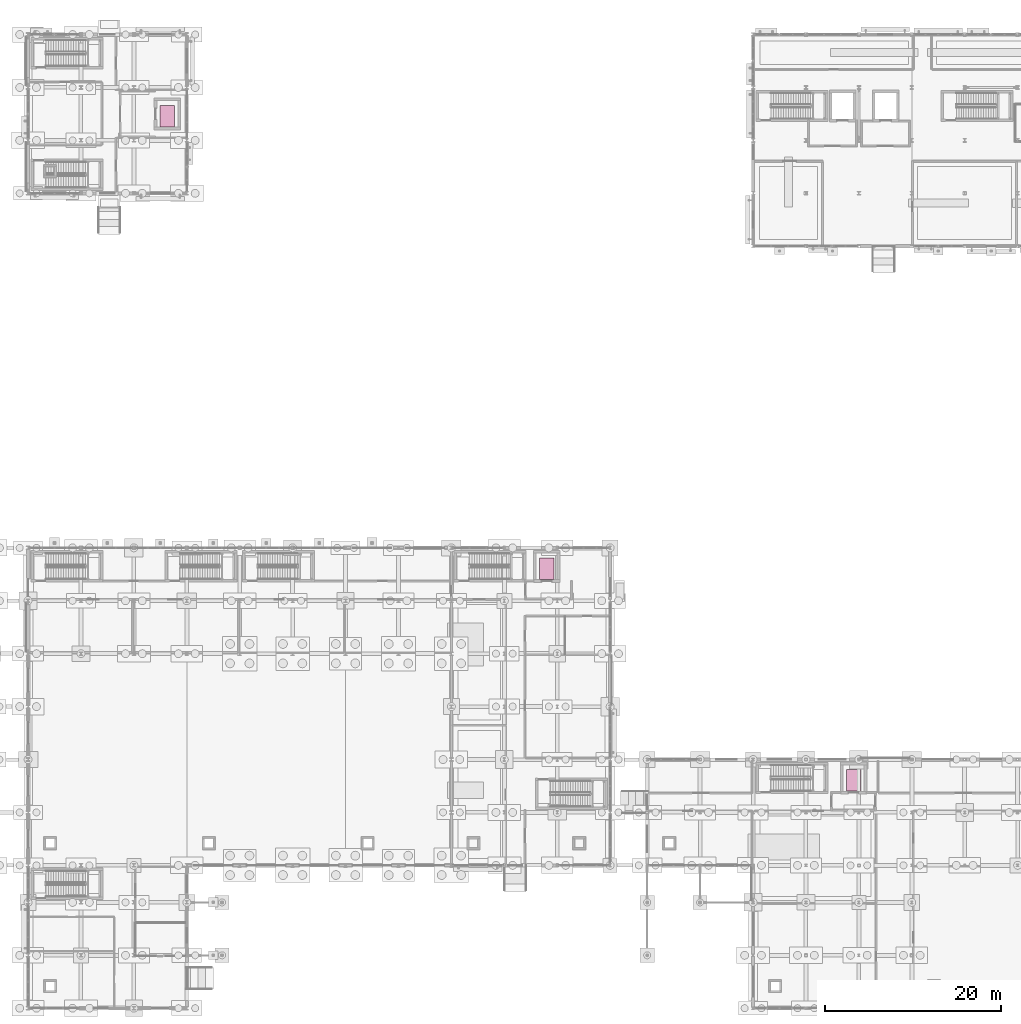
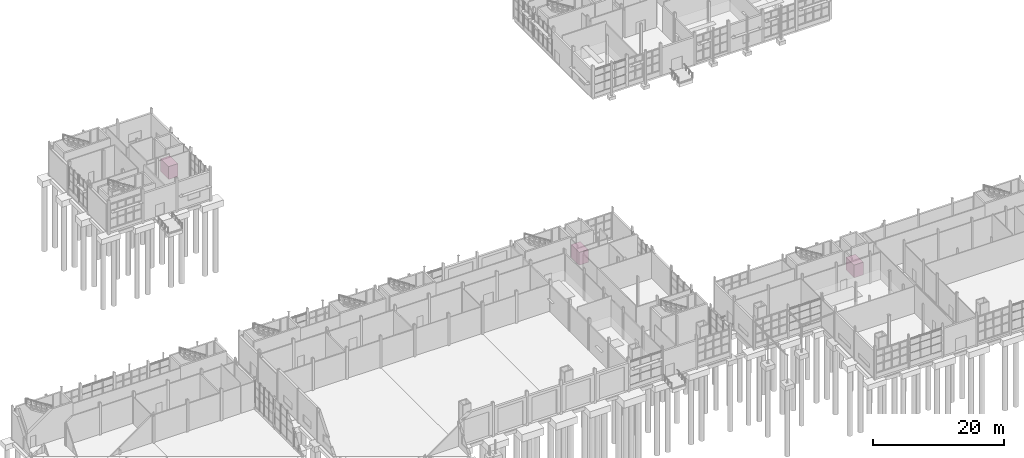
# One storey, part 120 of 120: 3 transport elements.
"""IFC4 building model written with IfcOpenShell, lengths in metres."""

from ifc_helpers import new_model, si_unit, direction, frame, origin, origin_2d, place, context, subcontext, project, spatial, rectangle, extrude, material, type_object, element, save


model = new_model("IFC4")

# Units and contexts
model_context = context("Model", 3, precision=1e-05, world=origin(), true_north=direction((0.0, 1.0)))
body_context = subcontext(model_context, "Body", "Model", "MODEL_VIEW")
ifc_project = project(units=[si_unit("LENGTHUNIT", "METRE"), si_unit("AREAUNIT", "SQUARE_METRE"), si_unit("VOLUMEUNIT", "CUBIC_METRE"), si_unit("PLANEANGLEUNIT", "RADIAN"), si_unit("MASSUNIT", "GRAM", prefix="KILO")], contexts=[model_context])

# Site, building, storey
site_placement = place(None, origin())
site = spatial("IfcSite", under=ifc_project, at=site_placement, CompositionType="ELEMENT")
building_placement = place(site_placement, origin())
building = spatial("IfcBuilding", under=site, at=building_placement, Name="Siltcreek Boulevard Central Fire Station", CompositionType="ELEMENT")
storey_placement = place(building_placement, origin())
storey = spatial("IfcBuildingStorey", under=building, at=storey_placement, Name="L01", CompositionType="ELEMENT", Elevation=0.0)

# Transport elements
ifc_material = material(Name="Brushed stainless steel elevator car", Category="steel")
transport_element_type_1 = type_object("IfcTransportElementType", Name="EL_FF_2000", PredefinedType="ELEVATOR", material=ifc_material)
transport_element_placement = place(storey_placement, frame((57.800048828125, 102.945068359375, 0.0), z_axis=(0.0, 0.0, 1.0), x_axis=(1.0, 0.0, 0.0)))
element("IfcTransportElement", 1, at=transport_element_placement, inside=storey, type_object=transport_element_type_1, Name="Stretcher elevator car EL-04", PredefinedType="ELEVATOR", context=body_context, shape_type="SweptSolid", body=[
    extrude(rectangle(XDim=1.64990234375, YDim=2.449951171875, at=origin_2d()), origin(), (0.0, 0.0, 1.0), 2.39990234375),
])
transport_element_type_2 = type_object("IfcTransportElementType", Name="EL_PS_1800", PredefinedType="ELEVATOR", material=ifc_material)
for number, where, z_axis, x_axis, name in (
    (2, (100.800048828125, 51.64501953125, 0.0), (0.0, 0.0, 1.0), (1.0, 0.0, 0.0), "Stretcher elevator car EL-03"),
    (3, (135.60009765625, 27.64501953125, 0.0), (0.0, 0.0, 1.0), (1.0, 0.0, 0.0), "Stretcher elevator car EL-05"),
):
    element("IfcTransportElement", number, at=place(storey_placement, frame(where, z_axis=z_axis, x_axis=x_axis)), inside=storey, type_object=transport_element_type_2, Name=name, PredefinedType="ELEVATOR", context=body_context, shape_type="SweptSolid", body=[
        extrude(rectangle(XDim=1.64990234375, YDim=2.449951171875, at=origin_2d()), origin(), (0.0, 0.0, 1.0), 2.39990234375),
    ])

save(model, "model.ifc")
